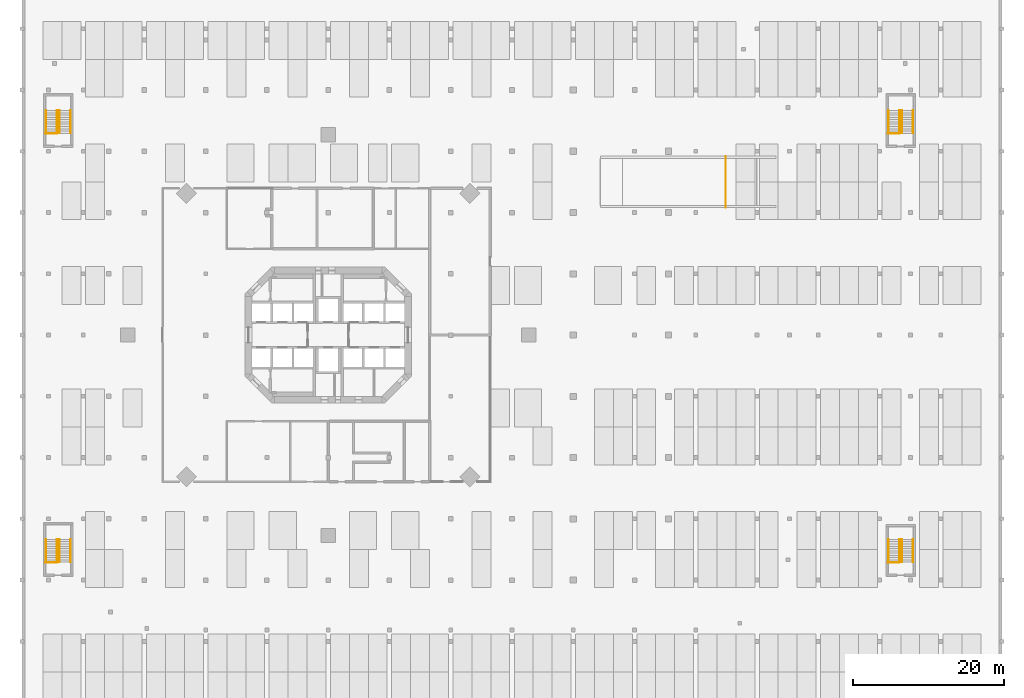
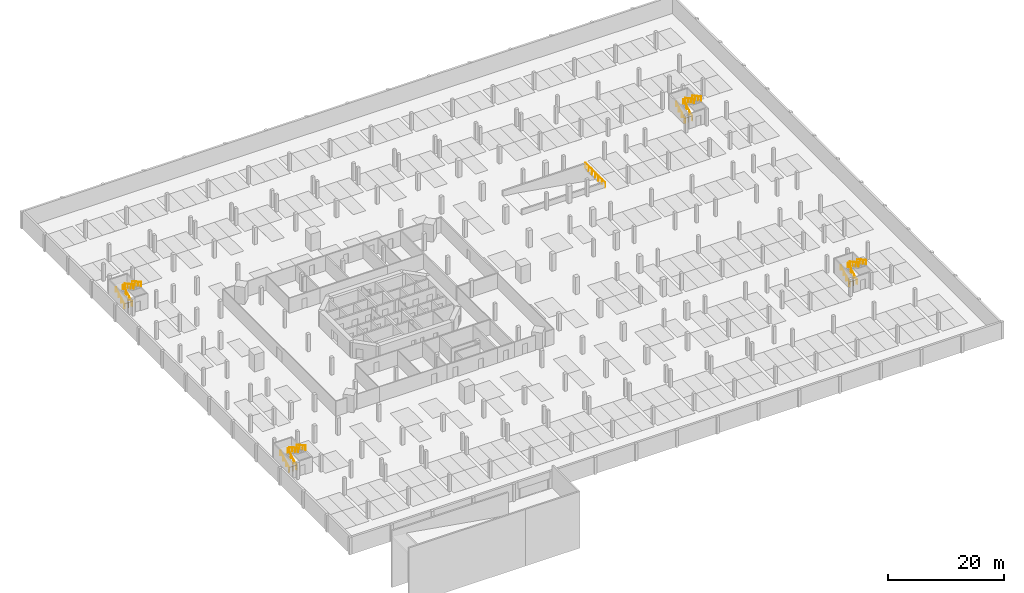
# One storey, part 14 of 14: 21 railings, 4 elements without a shape of their own.
"""IFC4 building model written with IfcOpenShell, lengths in metres."""

from ifc_helpers import new_model, si_unit, direction, frame, origin, origin_2d, place, context, subcontext, project, spatial, rectangle, extrude, material, type_object, element, aggregate, save


model = new_model("IFC4")

# Units and contexts
model_context = context("Model", 3, precision=1e-05, world=origin(), true_north=direction((0.0, 1.0)))
body_context = subcontext(model_context, "Body", "Model", "MODEL_VIEW")
ifc_project = project(units=[si_unit("LENGTHUNIT", "METRE"), si_unit("AREAUNIT", "SQUARE_METRE"), si_unit("VOLUMEUNIT", "CUBIC_METRE"), si_unit("PLANEANGLEUNIT", "RADIAN"), si_unit("MASSUNIT", "GRAM", prefix="KILO")], contexts=[model_context])

# Site, building, storey
site_placement = place(None, origin())
site = spatial("IfcSite", under=ifc_project, at=site_placement, CompositionType="ELEMENT")
building_placement = place(site_placement, origin())
building = spatial("IfcBuilding", under=site, at=building_placement, Name="Torre Triforio", CompositionType="ELEMENT")
storey_placement = place(building_placement, frame((0.0, 0.0, -3.60009765625)))
storey = spatial("IfcBuildingStorey", under=building, at=storey_placement, Name="B1", CompositionType="ELEMENT", Elevation=-3.60009765625)

# Railing
ifc_material_1 = material(Name="Stainless steel AISI 316", Category="steel")
railing_type_1 = type_object("IfcRailingType", Name="Ramp opening guard 1100", PredefinedType="GUARDRAIL", material=ifc_material_1)
railing_1_placement = place(storey_placement, frame((52.56005859375, 16.85009765625, 0.0)))
element("IfcRailing", 1, at=railing_1_placement, inside=storey, type_object=railing_type_1, Name="Car ramp B1 to B2 opening guard", PredefinedType="GUARDRAIL", context=body_context, shape_type="SweptSolid", body=[
    extrude(rectangle(XDim=0.048095703125, YDim=0.048095703125, at=origin_2d()), frame((0.0, 0.0, 1.076171875), z_axis=(0.0, 1.0, 0.0), x_axis=(-1.0, 0.0, 0.0)), (0.0, 0.0, 1.0), 6.7998046875),
    extrude(rectangle(XDim=0.0419921875, YDim=0.0419921875, at=origin_2d()), origin(), (0.0, 0.0, 1.0), 1.052001953125),
    extrude(rectangle(XDim=0.0419921875, YDim=0.0419921875, at=origin_2d()), frame((0.0, 1.13330078125, 0.0)), (0.0, 0.0, 1.0), 1.052001953125),
    extrude(rectangle(XDim=0.0419921875, YDim=0.0419921875, at=origin_2d()), frame((0.0, 2.2666015625, 0.0)), (0.0, 0.0, 1.0), 1.052001953125),
    extrude(rectangle(XDim=0.0419921875, YDim=0.0419921875, at=origin_2d()), frame((0.0, 3.39990234375, 0.0)), (0.0, 0.0, 1.0), 1.052001953125),
    extrude(rectangle(XDim=0.0419921875, YDim=0.0419921875, at=origin_2d()), frame((0.0, 4.533203125, 0.0)), (0.0, 0.0, 1.0), 1.052001953125),
    extrude(rectangle(XDim=0.0419921875, YDim=0.0419921875, at=origin_2d()), frame((0.0, 5.66650390625, 0.0)), (0.0, 0.0, 1.0), 1.052001953125),
    extrude(rectangle(XDim=0.0419921875, YDim=0.0419921875, at=origin_2d()), frame((0.0, 6.7998046875, 0.0)), (0.0, 0.0, 1.0), 1.052001953125),
])

# Stair, railings
ifc_material_2 = material(Name="Concrete C40", Category="concrete")
stair_type = type_object("IfcStairType", Name="Egress stair 1400 clear", PredefinedType="NOTDEFINED", material=ifc_material_2)
stair_1_placement = place(storey_placement, origin())
stair_1 = element("IfcStair", 2, at=stair_1_placement, inside=storey, type_object=stair_type, Name="Exit stair BS1 B1 to L00", PredefinedType="NOTDEFINED")
railing_type_2 = type_object("IfcRailingType", Name="Stair handrail 920", PredefinedType="HANDRAIL", material=ifc_material_1)
railing_2_placement = place(storey_placement, frame((-37.324951171875, -30.02490234375, 0.163818359375)))
railing_2 = element("IfcRailing", 3, at=railing_2_placement, type_object=railing_type_2, Name="Handrail BS1", PredefinedType="HANDRAIL", context=body_context, shape_type="SweptSolid", body=[
    extrude(rectangle(XDim=0.048095703125, YDim=0.048095703125, at=origin_2d()), frame((0.0, 0.0, 0.89599609375), z_axis=(0.0, 0.877911954615, 0.47882209634), x_axis=(-1.0, 0.0, 0.0)), (0.0, 0.0, 1.0), 3.417236328125),
    extrude(rectangle(XDim=0.0419921875, YDim=0.0419921875, at=origin_2d()), origin(), (0.0, 0.0, 1.0), 0.871826171875),
    extrude(rectangle(XDim=0.0419921875, YDim=0.0419921875, at=origin_2d()), frame((0.0, 1.0, 0.54541015625)), (0.0, 0.0, 1.0), 0.871826171875),
    extrude(rectangle(XDim=0.0419921875, YDim=0.0419921875, at=origin_2d()), frame((0.0, 2.0, 1.0908203125)), (0.0, 0.0, 1.0), 0.871826171875),
    extrude(rectangle(XDim=0.0419921875, YDim=0.0419921875, at=origin_2d()), frame((0.0, 3.0, 1.63623046875)), (0.0, 0.0, 1.0), 0.871826171875),
])
railing_3_placement = place(storey_placement, frame((-35.875, -30.02490234375, 0.163818359375)))
railing_3 = element("IfcRailing", 4, at=railing_3_placement, type_object=railing_type_2, Name="Handrail BS1", PredefinedType="HANDRAIL", context=body_context, shape_type="SweptSolid", body=[
    extrude(rectangle(XDim=0.048095703125, YDim=0.048095703125, at=origin_2d()), frame((0.0, 0.0, 0.89599609375), z_axis=(0.0, 0.877911954615, 0.47882209634), x_axis=(-1.0, 0.0, 0.0)), (0.0, 0.0, 1.0), 3.417236328125),
    extrude(rectangle(XDim=0.0419921875, YDim=0.0419921875, at=origin_2d()), origin(), (0.0, 0.0, 1.0), 0.871826171875),
    extrude(rectangle(XDim=0.0419921875, YDim=0.0419921875, at=origin_2d()), frame((0.0, 1.0, 0.54541015625)), (0.0, 0.0, 1.0), 0.871826171875),
    extrude(rectangle(XDim=0.0419921875, YDim=0.0419921875, at=origin_2d()), frame((0.0, 2.0, 1.0908203125)), (0.0, 0.0, 1.0), 0.871826171875),
    extrude(rectangle(XDim=0.0419921875, YDim=0.0419921875, at=origin_2d()), frame((0.0, 3.0, 1.63623046875)), (0.0, 0.0, 1.0), 0.871826171875),
])
railing_4_placement = place(storey_placement, frame((-35.52490234375, -27.02490234375, 1.963623046875)))
railing_4 = element("IfcRailing", 5, at=railing_4_placement, type_object=railing_type_2, Name="Handrail BS1", PredefinedType="HANDRAIL", context=body_context, shape_type="SweptSolid", body=[
    extrude(rectangle(XDim=0.048095703125, YDim=0.048095703125, at=origin_2d()), frame((0.0, 0.0, 0.89599609375), z_axis=(0.0, -0.877881921179, 0.478877158013), x_axis=(1.0, 0.0, 0.0)), (0.0, 0.0, 1.0), 3.417236328125),
    extrude(rectangle(XDim=0.0419921875, YDim=0.0419921875, at=origin_2d()), origin(), (0.0, 0.0, 1.0), 0.871826171875),
    extrude(rectangle(XDim=0.0419921875, YDim=0.0419921875, at=origin_2d()), frame((0.0, -1.0, 0.54541015625)), (0.0, 0.0, 1.0), 0.871826171875),
    extrude(rectangle(XDim=0.0419921875, YDim=0.0419921875, at=origin_2d()), frame((0.0, -2.0, 1.091064453125)), (0.0, 0.0, 1.0), 0.871826171875),
    extrude(rectangle(XDim=0.0419921875, YDim=0.0419921875, at=origin_2d()), frame((0.0, -3.0, 1.636474609375)), (0.0, 0.0, 1.0), 0.871826171875),
])
railing_5_placement = place(storey_placement, frame((-34.074951171875, -27.02490234375, 1.963623046875)))
railing_5 = element("IfcRailing", 6, at=railing_5_placement, type_object=railing_type_2, Name="Handrail BS1", PredefinedType="HANDRAIL", context=body_context, shape_type="SweptSolid", body=[
    extrude(rectangle(XDim=0.048095703125, YDim=0.048095703125, at=origin_2d()), frame((0.0, 0.0, 0.89599609375), z_axis=(0.0, -0.877881921179, 0.478877158013), x_axis=(1.0, 0.0, 0.0)), (0.0, 0.0, 1.0), 3.417236328125),
    extrude(rectangle(XDim=0.0419921875, YDim=0.0419921875, at=origin_2d()), origin(), (0.0, 0.0, 1.0), 0.871826171875),
    extrude(rectangle(XDim=0.0419921875, YDim=0.0419921875, at=origin_2d()), frame((0.0, -1.0, 0.54541015625)), (0.0, 0.0, 1.0), 0.871826171875),
    extrude(rectangle(XDim=0.0419921875, YDim=0.0419921875, at=origin_2d()), frame((0.0, -2.0, 1.091064453125)), (0.0, 0.0, 1.0), 0.871826171875),
    extrude(rectangle(XDim=0.0419921875, YDim=0.0419921875, at=origin_2d()), frame((0.0, -3.0, 1.636474609375)), (0.0, 0.0, 1.0), 0.871826171875),
])
aggregate(stair_1, [railing_2, railing_3, railing_4, railing_5])

stair_2_placement = place(storey_placement, origin())
stair_2 = element("IfcStair", 7, at=stair_2_placement, inside=storey, type_object=stair_type, Name="Exit stair BS2 B1 to L00", PredefinedType="NOTDEFINED")
railing_6_placement = place(storey_placement, frame((-37.324951171875, 26.675048828125, 0.163818359375)))
railing_6 = element("IfcRailing", 8, at=railing_6_placement, type_object=railing_type_2, Name="Handrail BS2", PredefinedType="HANDRAIL", context=body_context, shape_type="SweptSolid", body=[
    extrude(rectangle(XDim=0.048095703125, YDim=0.048095703125, at=origin_2d()), frame((0.0, 0.0, 0.89599609375), z_axis=(0.0, 0.877911954615, 0.47882209634), x_axis=(-1.0, 0.0, 0.0)), (0.0, 0.0, 1.0), 3.417236328125),
    extrude(rectangle(XDim=0.0419921875, YDim=0.0419921875, at=origin_2d()), origin(), (0.0, 0.0, 1.0), 0.871826171875),
    extrude(rectangle(XDim=0.0419921875, YDim=0.0419921875, at=origin_2d()), frame((0.0, 1.0, 0.54541015625)), (0.0, 0.0, 1.0), 0.871826171875),
    extrude(rectangle(XDim=0.0419921875, YDim=0.0419921875, at=origin_2d()), frame((0.0, 2.0, 1.0908203125)), (0.0, 0.0, 1.0), 0.871826171875),
    extrude(rectangle(XDim=0.0419921875, YDim=0.0419921875, at=origin_2d()), frame((0.0, 3.0, 1.63623046875)), (0.0, 0.0, 1.0), 0.871826171875),
])
railing_7_placement = place(storey_placement, frame((-35.875, 26.675048828125, 0.163818359375)))
railing_7 = element("IfcRailing", 9, at=railing_7_placement, type_object=railing_type_2, Name="Handrail BS2", PredefinedType="HANDRAIL", context=body_context, shape_type="SweptSolid", body=[
    extrude(rectangle(XDim=0.048095703125, YDim=0.048095703125, at=origin_2d()), frame((0.0, 0.0, 0.89599609375), z_axis=(0.0, 0.877911954615, 0.47882209634), x_axis=(-1.0, 0.0, 0.0)), (0.0, 0.0, 1.0), 3.417236328125),
    extrude(rectangle(XDim=0.0419921875, YDim=0.0419921875, at=origin_2d()), origin(), (0.0, 0.0, 1.0), 0.871826171875),
    extrude(rectangle(XDim=0.0419921875, YDim=0.0419921875, at=origin_2d()), frame((0.0, 1.0, 0.54541015625)), (0.0, 0.0, 1.0), 0.871826171875),
    extrude(rectangle(XDim=0.0419921875, YDim=0.0419921875, at=origin_2d()), frame((0.0, 2.0, 1.0908203125)), (0.0, 0.0, 1.0), 0.871826171875),
    extrude(rectangle(XDim=0.0419921875, YDim=0.0419921875, at=origin_2d()), frame((0.0, 3.0, 1.63623046875)), (0.0, 0.0, 1.0), 0.871826171875),
])
railing_8_placement = place(storey_placement, frame((-35.52490234375, 29.675048828125, 1.963623046875)))
railing_8 = element("IfcRailing", 10, at=railing_8_placement, type_object=railing_type_2, Name="Handrail BS2", PredefinedType="HANDRAIL", context=body_context, shape_type="SweptSolid", body=[
    extrude(rectangle(XDim=0.048095703125, YDim=0.048095703125, at=origin_2d()), frame((0.0, 0.0, 0.89599609375), z_axis=(0.0, -0.877881921179, 0.478877158013), x_axis=(1.0, 0.0, 0.0)), (0.0, 0.0, 1.0), 3.417236328125),
    extrude(rectangle(XDim=0.0419921875, YDim=0.0419921875, at=origin_2d()), origin(), (0.0, 0.0, 1.0), 0.871826171875),
    extrude(rectangle(XDim=0.0419921875, YDim=0.0419921875, at=origin_2d()), frame((0.0, -1.0, 0.54541015625)), (0.0, 0.0, 1.0), 0.871826171875),
    extrude(rectangle(XDim=0.0419921875, YDim=0.0419921875, at=origin_2d()), frame((0.0, -2.0, 1.091064453125)), (0.0, 0.0, 1.0), 0.871826171875),
    extrude(rectangle(XDim=0.0419921875, YDim=0.0419921875, at=origin_2d()), frame((0.0, -3.0, 1.636474609375)), (0.0, 0.0, 1.0), 0.871826171875),
])
railing_9_placement = place(storey_placement, frame((-34.074951171875, 29.675048828125, 1.963623046875)))
railing_9 = element("IfcRailing", 11, at=railing_9_placement, type_object=railing_type_2, Name="Handrail BS2", PredefinedType="HANDRAIL", context=body_context, shape_type="SweptSolid", body=[
    extrude(rectangle(XDim=0.048095703125, YDim=0.048095703125, at=origin_2d()), frame((0.0, 0.0, 0.89599609375), z_axis=(0.0, -0.877881921179, 0.478877158013), x_axis=(1.0, 0.0, 0.0)), (0.0, 0.0, 1.0), 3.417236328125),
    extrude(rectangle(XDim=0.0419921875, YDim=0.0419921875, at=origin_2d()), origin(), (0.0, 0.0, 1.0), 0.871826171875),
    extrude(rectangle(XDim=0.0419921875, YDim=0.0419921875, at=origin_2d()), frame((0.0, -1.0, 0.54541015625)), (0.0, 0.0, 1.0), 0.871826171875),
    extrude(rectangle(XDim=0.0419921875, YDim=0.0419921875, at=origin_2d()), frame((0.0, -2.0, 1.091064453125)), (0.0, 0.0, 1.0), 0.871826171875),
    extrude(rectangle(XDim=0.0419921875, YDim=0.0419921875, at=origin_2d()), frame((0.0, -3.0, 1.636474609375)), (0.0, 0.0, 1.0), 0.871826171875),
])
aggregate(stair_2, [railing_6, railing_7, railing_8, railing_9])

stair_3_placement = place(storey_placement, origin())
stair_3 = element("IfcStair", 12, at=stair_3_placement, inside=storey, type_object=stair_type, Name="Exit stair BS3 B1 to L00", PredefinedType="NOTDEFINED")
railing_10_placement = place(storey_placement, frame((74.074951171875, -30.02490234375, 0.163818359375)))
railing_10 = element("IfcRailing", 13, at=railing_10_placement, type_object=railing_type_2, Name="Handrail BS3", PredefinedType="HANDRAIL", context=body_context, shape_type="SweptSolid", body=[
    extrude(rectangle(XDim=0.048095703125, YDim=0.048095703125, at=origin_2d()), frame((0.0, 0.0, 0.89599609375), z_axis=(0.0, 0.877911954615, 0.47882209634), x_axis=(-1.0, 0.0, 0.0)), (0.0, 0.0, 1.0), 3.417236328125),
    extrude(rectangle(XDim=0.0419921875, YDim=0.0419921875, at=origin_2d()), origin(), (0.0, 0.0, 1.0), 0.871826171875),
    extrude(rectangle(XDim=0.0419921875, YDim=0.0419921875, at=origin_2d()), frame((0.0, 1.0, 0.54541015625)), (0.0, 0.0, 1.0), 0.871826171875),
    extrude(rectangle(XDim=0.0419921875, YDim=0.0419921875, at=origin_2d()), frame((0.0, 2.0, 1.0908203125)), (0.0, 0.0, 1.0), 0.871826171875),
    extrude(rectangle(XDim=0.0419921875, YDim=0.0419921875, at=origin_2d()), frame((0.0, 3.0, 1.63623046875)), (0.0, 0.0, 1.0), 0.871826171875),
])
railing_11_placement = place(storey_placement, frame((75.52490234375, -30.02490234375, 0.163818359375)))
railing_11 = element("IfcRailing", 14, at=railing_11_placement, type_object=railing_type_2, Name="Handrail BS3", PredefinedType="HANDRAIL", context=body_context, shape_type="SweptSolid", body=[
    extrude(rectangle(XDim=0.048095703125, YDim=0.048095703125, at=origin_2d()), frame((0.0, 0.0, 0.89599609375), z_axis=(0.0, 0.877911954615, 0.47882209634), x_axis=(-1.0, 0.0, 0.0)), (0.0, 0.0, 1.0), 3.417236328125),
    extrude(rectangle(XDim=0.0419921875, YDim=0.0419921875, at=origin_2d()), origin(), (0.0, 0.0, 1.0), 0.871826171875),
    extrude(rectangle(XDim=0.0419921875, YDim=0.0419921875, at=origin_2d()), frame((0.0, 1.0, 0.54541015625)), (0.0, 0.0, 1.0), 0.871826171875),
    extrude(rectangle(XDim=0.0419921875, YDim=0.0419921875, at=origin_2d()), frame((0.0, 2.0, 1.0908203125)), (0.0, 0.0, 1.0), 0.871826171875),
    extrude(rectangle(XDim=0.0419921875, YDim=0.0419921875, at=origin_2d()), frame((0.0, 3.0, 1.63623046875)), (0.0, 0.0, 1.0), 0.871826171875),
])
railing_12_placement = place(storey_placement, frame((75.875, -27.02490234375, 1.963623046875)))
railing_12 = element("IfcRailing", 15, at=railing_12_placement, type_object=railing_type_2, Name="Handrail BS3", PredefinedType="HANDRAIL", context=body_context, shape_type="SweptSolid", body=[
    extrude(rectangle(XDim=0.048095703125, YDim=0.048095703125, at=origin_2d()), frame((0.0, 0.0, 0.89599609375), z_axis=(0.0, -0.877881921179, 0.478877158013), x_axis=(1.0, 0.0, 0.0)), (0.0, 0.0, 1.0), 3.417236328125),
    extrude(rectangle(XDim=0.0419921875, YDim=0.0419921875, at=origin_2d()), origin(), (0.0, 0.0, 1.0), 0.871826171875),
    extrude(rectangle(XDim=0.0419921875, YDim=0.0419921875, at=origin_2d()), frame((0.0, -1.0, 0.54541015625)), (0.0, 0.0, 1.0), 0.871826171875),
    extrude(rectangle(XDim=0.0419921875, YDim=0.0419921875, at=origin_2d()), frame((0.0, -2.0, 1.091064453125)), (0.0, 0.0, 1.0), 0.871826171875),
    extrude(rectangle(XDim=0.0419921875, YDim=0.0419921875, at=origin_2d()), frame((0.0, -3.0, 1.636474609375)), (0.0, 0.0, 1.0), 0.871826171875),
])
railing_13_placement = place(storey_placement, frame((77.324951171875, -27.02490234375, 1.963623046875)))
railing_13 = element("IfcRailing", 16, at=railing_13_placement, type_object=railing_type_2, Name="Handrail BS3", PredefinedType="HANDRAIL", context=body_context, shape_type="SweptSolid", body=[
    extrude(rectangle(XDim=0.048095703125, YDim=0.048095703125, at=origin_2d()), frame((0.0, 0.0, 0.89599609375), z_axis=(0.0, -0.877881921179, 0.478877158013), x_axis=(1.0, 0.0, 0.0)), (0.0, 0.0, 1.0), 3.417236328125),
    extrude(rectangle(XDim=0.0419921875, YDim=0.0419921875, at=origin_2d()), origin(), (0.0, 0.0, 1.0), 0.871826171875),
    extrude(rectangle(XDim=0.0419921875, YDim=0.0419921875, at=origin_2d()), frame((0.0, -1.0, 0.54541015625)), (0.0, 0.0, 1.0), 0.871826171875),
    extrude(rectangle(XDim=0.0419921875, YDim=0.0419921875, at=origin_2d()), frame((0.0, -2.0, 1.091064453125)), (0.0, 0.0, 1.0), 0.871826171875),
    extrude(rectangle(XDim=0.0419921875, YDim=0.0419921875, at=origin_2d()), frame((0.0, -3.0, 1.636474609375)), (0.0, 0.0, 1.0), 0.871826171875),
])
aggregate(stair_3, [railing_10, railing_11, railing_12, railing_13])

stair_4_placement = place(storey_placement, origin())
stair_4 = element("IfcStair", 17, at=stair_4_placement, inside=storey, type_object=stair_type, Name="Exit stair BS4 B1 to L00", PredefinedType="NOTDEFINED")
railing_14_placement = place(storey_placement, frame((74.074951171875, 26.675048828125, 0.163818359375)))
railing_14 = element("IfcRailing", 18, at=railing_14_placement, type_object=railing_type_2, Name="Handrail BS4", PredefinedType="HANDRAIL", context=body_context, shape_type="SweptSolid", body=[
    extrude(rectangle(XDim=0.048095703125, YDim=0.048095703125, at=origin_2d()), frame((0.0, 0.0, 0.89599609375), z_axis=(0.0, 0.877911954615, 0.47882209634), x_axis=(-1.0, 0.0, 0.0)), (0.0, 0.0, 1.0), 3.417236328125),
    extrude(rectangle(XDim=0.0419921875, YDim=0.0419921875, at=origin_2d()), origin(), (0.0, 0.0, 1.0), 0.871826171875),
    extrude(rectangle(XDim=0.0419921875, YDim=0.0419921875, at=origin_2d()), frame((0.0, 1.0, 0.54541015625)), (0.0, 0.0, 1.0), 0.871826171875),
    extrude(rectangle(XDim=0.0419921875, YDim=0.0419921875, at=origin_2d()), frame((0.0, 2.0, 1.0908203125)), (0.0, 0.0, 1.0), 0.871826171875),
    extrude(rectangle(XDim=0.0419921875, YDim=0.0419921875, at=origin_2d()), frame((0.0, 3.0, 1.63623046875)), (0.0, 0.0, 1.0), 0.871826171875),
])
railing_15_placement = place(storey_placement, frame((75.52490234375, 26.675048828125, 0.163818359375)))
railing_15 = element("IfcRailing", 19, at=railing_15_placement, type_object=railing_type_2, Name="Handrail BS4", PredefinedType="HANDRAIL", context=body_context, shape_type="SweptSolid", body=[
    extrude(rectangle(XDim=0.048095703125, YDim=0.048095703125, at=origin_2d()), frame((0.0, 0.0, 0.89599609375), z_axis=(0.0, 0.877911954615, 0.47882209634), x_axis=(-1.0, 0.0, 0.0)), (0.0, 0.0, 1.0), 3.417236328125),
    extrude(rectangle(XDim=0.0419921875, YDim=0.0419921875, at=origin_2d()), origin(), (0.0, 0.0, 1.0), 0.871826171875),
    extrude(rectangle(XDim=0.0419921875, YDim=0.0419921875, at=origin_2d()), frame((0.0, 1.0, 0.54541015625)), (0.0, 0.0, 1.0), 0.871826171875),
    extrude(rectangle(XDim=0.0419921875, YDim=0.0419921875, at=origin_2d()), frame((0.0, 2.0, 1.0908203125)), (0.0, 0.0, 1.0), 0.871826171875),
    extrude(rectangle(XDim=0.0419921875, YDim=0.0419921875, at=origin_2d()), frame((0.0, 3.0, 1.63623046875)), (0.0, 0.0, 1.0), 0.871826171875),
])
railing_16_placement = place(storey_placement, frame((75.875, 29.675048828125, 1.963623046875)))
railing_16 = element("IfcRailing", 20, at=railing_16_placement, type_object=railing_type_2, Name="Handrail BS4", PredefinedType="HANDRAIL", context=body_context, shape_type="SweptSolid", body=[
    extrude(rectangle(XDim=0.048095703125, YDim=0.048095703125, at=origin_2d()), frame((0.0, 0.0, 0.89599609375), z_axis=(0.0, -0.877881921179, 0.478877158013), x_axis=(1.0, 0.0, 0.0)), (0.0, 0.0, 1.0), 3.417236328125),
    extrude(rectangle(XDim=0.0419921875, YDim=0.0419921875, at=origin_2d()), origin(), (0.0, 0.0, 1.0), 0.871826171875),
    extrude(rectangle(XDim=0.0419921875, YDim=0.0419921875, at=origin_2d()), frame((0.0, -1.0, 0.54541015625)), (0.0, 0.0, 1.0), 0.871826171875),
    extrude(rectangle(XDim=0.0419921875, YDim=0.0419921875, at=origin_2d()), frame((0.0, -2.0, 1.091064453125)), (0.0, 0.0, 1.0), 0.871826171875),
    extrude(rectangle(XDim=0.0419921875, YDim=0.0419921875, at=origin_2d()), frame((0.0, -3.0, 1.636474609375)), (0.0, 0.0, 1.0), 0.871826171875),
])
railing_17_placement = place(storey_placement, frame((77.324951171875, 29.675048828125, 1.963623046875)))
railing_17 = element("IfcRailing", 21, at=railing_17_placement, type_object=railing_type_2, Name="Handrail BS4", PredefinedType="HANDRAIL", context=body_context, shape_type="SweptSolid", body=[
    extrude(rectangle(XDim=0.048095703125, YDim=0.048095703125, at=origin_2d()), frame((0.0, 0.0, 0.89599609375), z_axis=(0.0, -0.877881921179, 0.478877158013), x_axis=(1.0, 0.0, 0.0)), (0.0, 0.0, 1.0), 3.417236328125),
    extrude(rectangle(XDim=0.0419921875, YDim=0.0419921875, at=origin_2d()), origin(), (0.0, 0.0, 1.0), 0.871826171875),
    extrude(rectangle(XDim=0.0419921875, YDim=0.0419921875, at=origin_2d()), frame((0.0, -1.0, 0.54541015625)), (0.0, 0.0, 1.0), 0.871826171875),
    extrude(rectangle(XDim=0.0419921875, YDim=0.0419921875, at=origin_2d()), frame((0.0, -2.0, 1.091064453125)), (0.0, 0.0, 1.0), 0.871826171875),
    extrude(rectangle(XDim=0.0419921875, YDim=0.0419921875, at=origin_2d()), frame((0.0, -3.0, 1.636474609375)), (0.0, 0.0, 1.0), 0.871826171875),
])
aggregate(stair_4, [railing_14, railing_15, railing_16, railing_17])

# Railings
railing_type_3 = type_object("IfcRailingType", Name="Stair well guard 1100", PredefinedType="GUARDRAIL", material=ifc_material_1)
for number, where, name in (
    (22, (-37.375, -30.074951171875, 0.0), "Guard BS1 B1"),
    (23, (-37.375, 26.625, 0.0), "Guard BS2 B1"),
    (24, (74.02490234375, -30.074951171875, 0.0), "Guard BS3 B1"),
    (25, (74.02490234375, 26.625, 0.0), "Guard BS4 B1"),
):
    element("IfcRailing", number, at=place(storey_placement, frame(where)), inside=storey, type_object=railing_type_3, Name=name, PredefinedType="GUARDRAIL", context=body_context, shape_type="SweptSolid", body=[
        extrude(rectangle(XDim=0.048095703125, YDim=0.048095703125, at=origin_2d()), frame((0.0, 0.0, 1.076171875), z_axis=(1.0, 0.0, 0.0), x_axis=(0.0, 1.0, 0.0)), (0.0, 0.0, 1.0), 1.550048828125),
        extrude(rectangle(XDim=0.0419921875, YDim=0.0419921875, at=origin_2d()), origin(), (0.0, 0.0, 1.0), 1.052001953125),
        extrude(rectangle(XDim=0.0419921875, YDim=0.0419921875, at=origin_2d()), frame((0.77490234375, 0.0, 0.0)), (0.0, 0.0, 1.0), 1.052001953125),
        extrude(rectangle(XDim=0.0419921875, YDim=0.0419921875, at=origin_2d()), frame((1.550048828125, 0.0, 0.0)), (0.0, 0.0, 1.0), 1.052001953125),
    ])

save(model, "model.ifc")
